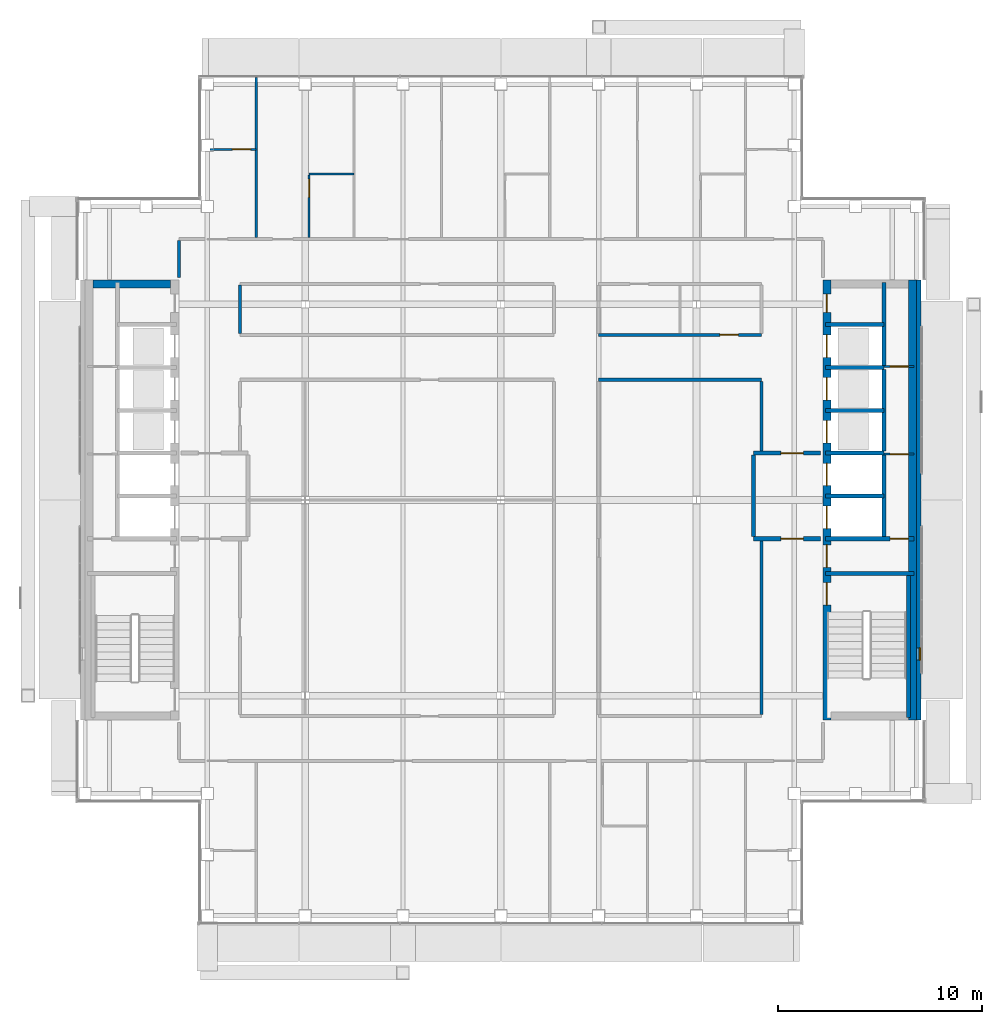
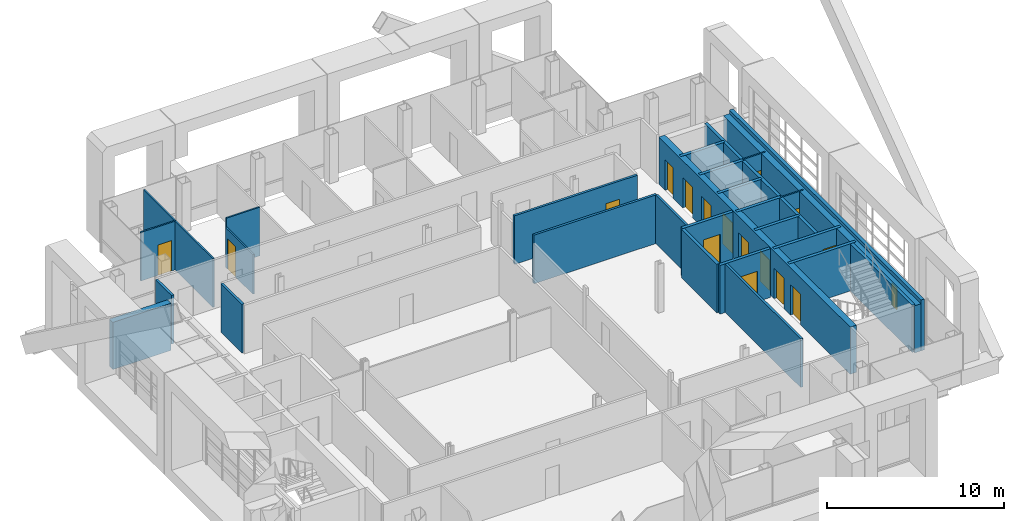
# One storey, part 13 of 23: 30 walls, 16 doors, 1 window, 17 openings.
"""IFC4 building model written with IfcOpenShell, lengths in metres."""

from ifc_helpers import new_model, si_unit, direction, frame, frame_2d, origin, place, context, subcontext, project, spatial, rectangle, extrude, material, layer, layer_set, type_object, element, fill, save


model = new_model("IFC4")

# Units and contexts
model_context = context("Model", 3, precision=1e-05, world=origin(), true_north=direction((0.0, 1.0)))
body_context = subcontext(model_context, "Body", "Model", "MODEL_VIEW")
ifc_project = project(units=[si_unit("LENGTHUNIT", "METRE"), si_unit("AREAUNIT", "SQUARE_METRE"), si_unit("VOLUMEUNIT", "CUBIC_METRE"), si_unit("PLANEANGLEUNIT", "RADIAN"), si_unit("MASSUNIT", "GRAM", prefix="KILO")], contexts=[model_context])

# Site, building, storey
site_placement = place(None, origin())
site = spatial("IfcSite", under=ifc_project, at=site_placement, CompositionType="ELEMENT")
building_placement = place(site_placement, origin())
building = spatial("IfcBuilding", under=site, at=building_placement, Name="Cobrizo Arcos Hotel Tower", CompositionType="ELEMENT")
storey_placement = place(building_placement, frame((0.0, 0.0, 255.0)))
storey = spatial("IfcBuildingStorey", under=building, at=storey_placement, Name="L67", CompositionType="ELEMENT", Elevation=255.0)

# Wall
ifc_material_1 = material(Name="Gypsum board partition")
ifc_layer_1 = layer(ifc_material_1, 0.14990234375)
ifc_layer_set_1 = layer_set([ifc_layer_1], Name="Corridor wall EI 60 150")
wall_type_1 = type_object("IfcWallType", Name="Corridor wall EI 60 150", PredefinedType="PARTITIONING", material=ifc_layer_set_1)
wall_1_placement = place(storey_placement, frame((4.800048828125, 5.89990234375, 0.0), z_axis=(0.0, 0.0, 1.0), x_axis=(1.0, 0.0, 0.0)))
element("IfcWall", 1, at=wall_1_placement, inside=storey, type_object=wall_type_1, Name="Partition 029", PredefinedType="PARTITIONING", context=body_context, shape_type="SweptSolid", body=[
    extrude(rectangle(XDim=8.0, YDim=0.14990234375, at=frame_2d((4.0, 0.0))), origin(), (0.0, 0.0, 1.0), 3.35009765625),
])

# Wall, opening, door
wall_2_placement = place(storey_placement, frame((4.800048828125, 8.10009765625, 0.0), z_axis=(0.0, 0.0, 1.0), x_axis=(1.0, 0.0, 0.0)))
wall_2 = element("IfcWall", 2, at=wall_2_placement, inside=storey, type_object=wall_type_1, Name="Partition 035", PredefinedType="PARTITIONING", context=body_context, shape_type="SweptSolid", body=[
    extrude(rectangle(XDim=8.0, YDim=0.14990234375, at=frame_2d((4.0, 0.0))), origin(), (0.0, 0.0, 1.0), 3.35009765625),
])
opening_1_placement = place(wall_2_placement, frame((5.949951171875, 0.0, 0.0)))
opening_1 = element("IfcOpeningElement", 3, at=opening_1_placement, cuts=wall_2, Name="Opening ED-11", PredefinedType="OPENING", context=body_context, shape_type="SweptSolid", body=[
    extrude(rectangle(XDim=0.89990234375, YDim=2.10009765625, at=frame_2d((0.449951171875, 1.050048828125))), frame((0.0, 0.0869140625, 0.0), z_axis=(0.0, -1.0, 0.0), x_axis=(1.0, 0.0, 0.0)), (0.0, 0.0, 1.0), 0.173828125),
])
ifc_material_2 = material(Name="Timber door leaf", Category="wood")
door_type_1 = type_object("IfcDoorType", Name="En-suite door 900x2100", OperationType="SINGLE_SWING_LEFT", PredefinedType="DOOR", material=ifc_material_2)
door_1_placement = place(opening_1_placement, origin())
door_1 = element("IfcDoor", 4, at=door_1_placement, inside=storey, type_object=door_type_1, Name="Door ED-11", OperationType="SINGLE_SWING_RIGHT", OverallHeight=2.10009765625, OverallWidth=0.89990234375, PredefinedType="DOOR", context=body_context, shape_type="SweptSolid", body=[
    extrude(rectangle(XDim=0.89990234375, YDim=2.10009765625, at=frame_2d((0.449951171875, 1.050048828125))), frame((0.0, 0.02490234375, 0.0), z_axis=(0.0, -1.0, 0.0), x_axis=(1.0, 0.0, 0.0)), (0.0, 0.0, 1.0), 0.050048828125),
])
fill(opening_1, door_1)

# Walls
wall_3_placement = place(storey_placement, frame((-15.800048828125, 10.919921875, 0.0), z_axis=(0.0, 0.0, 1.0), x_axis=(0.0, 1.0, 0.0)))
element("IfcWall", 5, at=wall_3_placement, inside=storey, type_object=wall_type_1, Name="Partition 051", PredefinedType="PARTITIONING", context=body_context, shape_type="SweptSolid", body=[
    extrude(rectangle(XDim=1.80517578125, YDim=0.14990234375, at=frame_2d((0.902587890625, 0.0))), origin(), (0.0, 0.0, 1.0), 3.35009765625),
])
wall_4_placement = place(storey_placement, frame((-12.800048828125, 8.175048828125, 0.0), z_axis=(0.0, 0.0, 1.0), x_axis=(0.0, 1.0, 0.0)))
element("IfcWall", 6, at=wall_4_placement, inside=storey, type_object=wall_type_1, Name="Partition 054", PredefinedType="PARTITIONING", context=body_context, shape_type="SweptSolid", body=[
    extrude(rectangle(XDim=2.375, YDim=0.14990234375, at=frame_2d((1.1875, 0.0))), origin(), (0.0, 0.0, 1.0), 3.35009765625),
])
wall_5_placement = place(storey_placement, frame((12.800048828125, -10.52490234375, 0.0), z_axis=(0.0, 0.0, 1.0), x_axis=(0.0, 1.0, 0.0)))
element("IfcWall", 7, at=wall_5_placement, inside=storey, type_object=wall_type_1, Name="Partition 086", PredefinedType="PARTITIONING", context=body_context, shape_type="SweptSolid", body=[
    extrude(rectangle(XDim=8.52490234375, YDim=0.14990234375, at=frame_2d((4.262451171875, 0.0))), origin(), (0.0, 0.0, 1.0), 3.35009765625),
])
wall_6_placement = place(storey_placement, frame((12.800048828125, 2.39990234375, 0.0), z_axis=(0.0, 0.0, 1.0), x_axis=(0.0, 1.0, 0.0)))
element("IfcWall", 8, at=wall_6_placement, inside=storey, type_object=wall_type_1, Name="Partition 087", PredefinedType="PARTITIONING", context=body_context, shape_type="SweptSolid", body=[
    extrude(rectangle(XDim=3.425048828125, YDim=0.14990234375, at=frame_2d((1.71240234375, 0.0))), origin(), (0.0, 0.0, 1.0), 3.35009765625),
])

# Wall, opening, window
ifc_material_3 = material(Name="Aluminium composite panel pale metal", Category="aluminium")
ifc_layer_2 = layer(ifc_material_3, 0.22509765625)
ifc_layer_set_2 = layer_set([ifc_layer_2], Name="EW-1 insulated panel wall 225")
wall_type_2 = type_object("IfcWallType", Name="EW-1 insulated panel wall 225", PredefinedType="SOLIDWALL", material=ifc_layer_set_2)
wall_7_placement = place(storey_placement, frame((20.512451171875, -10.800048828125, 0.0), z_axis=(0.0, 0.0, 1.0), x_axis=(0.0, 1.0, 0.0)))
wall_7 = element("IfcWall", 9, at=wall_7_placement, inside=storey, type_object=wall_type_2, Name="Core face wall L67 E", PredefinedType="SOLIDWALL", context=body_context, shape_type="SweptSolid", body=[
    extrude(rectangle(XDim=21.60009765625, YDim=0.22509765625, at=frame_2d((10.800048828125, 0.0))), origin(), (0.0, 0.0, 1.0), 3.5),
])
opening_2_placement = place(wall_7_placement, frame((2.949951171875, 0.0, 1.0)))
opening_2 = element("IfcOpeningElement", 10, at=opening_2_placement, cuts=wall_7, Name="Opening W-153", PredefinedType="OPENING", context=body_context, shape_type="SweptSolid", body=[
    extrude(rectangle(XDim=0.60009765625, YDim=1.5, at=frame_2d((0.300048828125, 0.75))), frame((0.0, 0.12451171875, 0.0), z_axis=(0.0, -1.0, 0.0), x_axis=(1.0, 0.0, 0.0)), (0.0, 0.0, 1.0), 0.2490234375),
])
ifc_material_4 = material(Name="Aluminium 6063-T6 and clear laminated glass", Category="aluminium")
window_type = type_object("IfcWindowType", Name="W-C1 core stair slot window 600x1500", PartitioningType="SINGLE_PANEL", PredefinedType="WINDOW", material=ifc_material_4)
window_placement = place(opening_2_placement, origin())
window = element("IfcWindow", 11, at=window_placement, inside=storey, type_object=window_type, Name="Core face wall L67 E window W-153", OverallHeight=1.5, OverallWidth=0.60009765625, PartitioningType="SINGLE_PANEL", PredefinedType="WINDOW", context=body_context, shape_type="SweptSolid", body=[
    extrude(rectangle(XDim=0.60009765625, YDim=1.5, at=frame_2d((0.300048828125, 0.75))), frame((0.0, -0.0224609375, 0.0), z_axis=(0.0, -1.0, 0.0), x_axis=(1.0, 0.0, 0.0)), (0.0, 0.0, 1.0), 0.06005859375),
])
fill(opening_2, window)

# Wall, opening, door
ifc_layer_3 = layer(ifc_material_1, 0.10009765625)
ifc_layer_set_3 = layer_set([ifc_layer_3], Name="Partition EI 30 100")
wall_type_3 = type_object("IfcWallType", Name="Partition EI 30 100", PredefinedType="PARTITIONING", material=ifc_layer_set_3)
wall_8_placement = place(storey_placement, frame((18.800048828125, 2.25, 0.0), z_axis=(0.0, 0.0, 1.0), x_axis=(1.0, 0.0, 0.0)))
wall_8 = element("IfcWall", 12, at=wall_8_placement, inside=storey, type_object=wall_type_3, Name="Partition 021", PredefinedType="PARTITIONING", context=body_context, shape_type="SweptSolid", body=[
    extrude(rectangle(XDim=1.47998046875, YDim=0.10009765625, at=frame_2d((0.739990234375, 0.0))), origin(), (0.0, 0.0, 1.0), 3.25),
])
opening_3_placement = place(wall_8_placement, frame((0.300048828125, 0.0, 0.0)))
opening_3 = element("IfcOpeningElement", 13, at=opening_3_placement, cuts=wall_8, Name="Opening RD-06", PredefinedType="OPENING", context=body_context, shape_type="SweptSolid", body=[
    extrude(rectangle(XDim=0.89990234375, YDim=2.10009765625, at=frame_2d((0.449951171875, 1.050048828125))), frame((0.0, 0.06201171875, 0.0), z_axis=(0.0, -1.0, 0.0), x_axis=(1.0, 0.0, 0.0)), (0.0, 0.0, 1.0), 0.1240234375),
])
door_type_2 = type_object("IfcDoorType", Name="Room door FD30 900x2100", OperationType="SINGLE_SWING_LEFT", PredefinedType="DOOR", material=ifc_material_2)
door_2_placement = place(opening_3_placement, origin())
door_2 = element("IfcDoor", 14, at=door_2_placement, inside=storey, type_object=door_type_2, Name="Door RD-06", OperationType="SINGLE_SWING_LEFT", OverallHeight=2.10009765625, OverallWidth=0.89990234375, PredefinedType="DOOR", context=body_context, shape_type="SweptSolid", body=[
    extrude(rectangle(XDim=0.89990234375, YDim=2.10009765625, at=frame_2d((0.449951171875, 1.050048828125))), frame((0.0, 0.02490234375, 0.0), z_axis=(0.0, -1.0, 0.0), x_axis=(1.0, 0.0, 0.0)), (0.0, 0.0, 1.0), 0.050048828125),
])
fill(opening_3, door_2)

wall_9_placement = place(storey_placement, frame((18.800048828125, 6.550048828125, 0.0), z_axis=(0.0, 0.0, 1.0), x_axis=(1.0, 0.0, 0.0)))
wall_9 = element("IfcWall", 15, at=wall_9_placement, inside=storey, type_object=wall_type_3, Name="Partition 033", PredefinedType="PARTITIONING", context=body_context, shape_type="SweptSolid", body=[
    extrude(rectangle(XDim=1.47998046875, YDim=0.10009765625, at=frame_2d((0.739990234375, 0.0))), origin(), (0.0, 0.0, 1.0), 3.25),
])
opening_4_placement = place(wall_9_placement, frame((0.300048828125, 0.0, 0.0)))
opening_4 = element("IfcOpeningElement", 16, at=opening_4_placement, cuts=wall_9, Name="Opening RD-07", PredefinedType="OPENING", context=body_context, shape_type="SweptSolid", body=[
    extrude(rectangle(XDim=0.89990234375, YDim=2.10009765625, at=frame_2d((0.449951171875, 1.050048828125))), frame((0.0, 0.06201171875, 0.0), z_axis=(0.0, -1.0, 0.0), x_axis=(1.0, 0.0, 0.0)), (0.0, 0.0, 1.0), 0.1240234375),
])
door_3_placement = place(opening_4_placement, origin())
door_3 = element("IfcDoor", 17, at=door_3_placement, inside=storey, type_object=door_type_2, Name="Door RD-07", OperationType="SINGLE_SWING_LEFT", OverallHeight=2.10009765625, OverallWidth=0.89990234375, PredefinedType="DOOR", context=body_context, shape_type="SweptSolid", body=[
    extrude(rectangle(XDim=0.89990234375, YDim=2.10009765625, at=frame_2d((0.449951171875, 1.050048828125))), frame((0.0, 0.02490234375, 0.0), z_axis=(0.0, -1.0, 0.0), x_axis=(1.0, 0.0, 0.0)), (0.0, 0.0, 1.0), 0.050048828125),
])
fill(opening_4, door_3)

# Wall
wall_10_placement = place(storey_placement, frame((-9.39990234375, 16.0, 0.0), z_axis=(0.0, 0.0, 1.0), x_axis=(1.0, 0.0, 0.0)))
element("IfcWall", 18, at=wall_10_placement, inside=storey, type_object=wall_type_3, Name="Partition 041", PredefinedType="PARTITIONING", context=body_context, shape_type="SweptSolid", body=[
    extrude(rectangle(XDim=2.199951171875, YDim=0.10009765625, at=frame_2d((1.10009765625, 0.0))), origin(), (0.0, 0.0, 1.0), 3.35009765625),
])

# Wall, opening, door
wall_11_placement = place(storey_placement, frame((-14.280029296875, 17.199951171875, 0.0), z_axis=(0.0, 0.0, 1.0), x_axis=(1.0, 0.0, 0.0)))
wall_11 = element("IfcWall", 19, at=wall_11_placement, inside=storey, type_object=wall_type_3, Name="Partition 044", PredefinedType="PARTITIONING", context=body_context, shape_type="SweptSolid", body=[
    extrude(rectangle(XDim=2.280029296875, YDim=0.10009765625, at=frame_2d((1.14013671875, 0.0))), origin(), (0.0, 0.0, 1.0), 3.35009765625),
])
opening_5_placement = place(wall_11_placement, frame((1.110107421875, 0.0, 0.0)))
opening_5 = element("IfcOpeningElement", 20, at=opening_5_placement, cuts=wall_11, Name="Opening ED-07", PredefinedType="OPENING", context=body_context, shape_type="SweptSolid", body=[
    extrude(rectangle(XDim=0.89990234375, YDim=2.10009765625, at=frame_2d((0.449951171875, 1.050048828125))), frame((0.0, 0.06201171875, 0.0), z_axis=(0.0, -1.0, 0.0), x_axis=(1.0, 0.0, 0.0)), (0.0, 0.0, 1.0), 0.1240234375),
])
door_4_placement = place(opening_5_placement, origin())
door_4 = element("IfcDoor", 21, at=door_4_placement, inside=storey, type_object=door_type_1, Name="Door ED-07", OperationType="SINGLE_SWING_LEFT", OverallHeight=2.10009765625, OverallWidth=0.89990234375, PredefinedType="DOOR", context=body_context, shape_type="SweptSolid", body=[
    extrude(rectangle(XDim=0.89990234375, YDim=2.10009765625, at=frame_2d((0.449951171875, 1.050048828125))), frame((0.0, 0.02490234375, 0.0), z_axis=(0.0, -1.0, 0.0), x_axis=(1.0, 0.0, 0.0)), (0.0, 0.0, 1.0), 0.050048828125),
])
fill(opening_5, door_4)

# Wall
wall_12_placement = place(storey_placement, frame((-12.0, 12.875, 0.0), z_axis=(0.0, 0.0, 1.0), x_axis=(0.0, 1.0, 0.0)))
element("IfcWall", 22, at=wall_12_placement, inside=storey, type_object=wall_type_3, Name="Partition 057", PredefinedType="PARTITIONING", context=body_context, shape_type="SweptSolid", body=[
    extrude(rectangle(XDim=7.85498046875, YDim=0.10009765625, at=frame_2d((3.927490234375, 0.0))), origin(), (0.0, 0.0, 1.0), 3.35009765625),
])

# Wall, opening, door
wall_13_placement = place(storey_placement, frame((-9.39990234375, 12.875, 0.0), z_axis=(0.0, 0.0, 1.0), x_axis=(0.0, 1.0, 0.0)))
wall_13 = element("IfcWall", 23, at=wall_13_placement, inside=storey, type_object=wall_type_3, Name="Partition 062", PredefinedType="PARTITIONING", context=body_context, shape_type="SweptSolid", body=[
    extrude(rectangle(XDim=3.074951171875, YDim=0.10009765625, at=frame_2d((1.53759765625, 0.0))), origin(), (0.0, 0.0, 1.0), 2.72802734375),
])
opening_6_placement = place(wall_13_placement, frame((1.970947265625, 0.0, 0.0)))
opening_6 = element("IfcOpeningElement", 24, at=opening_6_placement, cuts=wall_13, Name="Opening ED-02", PredefinedType="OPENING", context=body_context, shape_type="SweptSolid", body=[
    extrude(rectangle(XDim=0.89990234375, YDim=2.10009765625, at=frame_2d((0.449951171875, 1.050048828125))), frame((0.0, 0.06201171875, 0.0), z_axis=(0.0, -1.0, 0.0), x_axis=(1.0, 0.0, 0.0)), (0.0, 0.0, 1.0), 0.1240234375),
])
door_5_placement = place(opening_6_placement, origin())
door_5 = element("IfcDoor", 25, at=door_5_placement, inside=storey, type_object=door_type_1, Name="Door ED-02", OperationType="SINGLE_SWING_RIGHT", OverallHeight=2.10009765625, OverallWidth=0.89990234375, PredefinedType="DOOR", context=body_context, shape_type="SweptSolid", body=[
    extrude(rectangle(XDim=0.89990234375, YDim=2.10009765625, at=frame_2d((0.449951171875, 1.050048828125))), frame((0.0, 0.02490234375, 0.0), z_axis=(0.0, -1.0, 0.0), x_axis=(1.0, 0.0, 0.0)), (0.0, 0.0, 1.0), 0.050048828125),
])
fill(opening_6, door_5)

# Wall, openings, doors
ifc_material_5 = material(Name="Concrete f'c 40 MPa", Category="concrete")
ifc_layer_4 = layer(ifc_material_5, 0.39990234375)
ifc_layer_set_4 = layer_set([ifc_layer_4], Name="RC core wall 400 f'c 40")
wall_type_4 = type_object("IfcWallType", Name="RC core wall 400 f'c 40", PredefinedType="SHEAR", material=ifc_layer_set_4)
wall_14_placement = place(storey_placement, frame((16.0, -10.800048828125, 0.0), z_axis=(0.0, 0.0, 1.0), x_axis=(0.0, 1.0, 0.0)))
wall_14 = element("IfcWall", 26, at=wall_14_placement, inside=storey, type_object=wall_type_4, Name="Core wall CW4, east core, inner face, L67", PredefinedType="SHEAR", context=body_context, shape_type="SweptSolid", body=[
    extrude(rectangle(XDim=21.60009765625, YDim=0.39990234375, at=frame_2d((10.800048828125, 0.0))), origin(), (0.0, 0.0, 1.0), 3.25),
])
opening_7_placement = place(wall_14_placement, frame((9.39990234375, 0.0, 0.0)))
opening_7 = element("IfcOpeningElement", 27, at=opening_7_placement, cuts=wall_14, Name="Opening LD-06", PredefinedType="OPENING", context=body_context, shape_type="SweptSolid", body=[
    extrude(rectangle(XDim=1.10009765625, YDim=2.10009765625, at=frame_2d((0.550048828125, 1.050048828125))), frame((0.0, 0.2119140625, 0.0), z_axis=(0.0, -1.0, 0.0), x_axis=(1.0, 0.0, 0.0)), (0.0, 0.0, 1.0), 0.423828125),
])
opening_8_placement = place(wall_14_placement, frame((11.5, 0.0, 0.0)))
opening_8 = element("IfcOpeningElement", 28, at=opening_8_placement, cuts=wall_14, Name="Opening LD-07", PredefinedType="OPENING", context=body_context, shape_type="SweptSolid", body=[
    extrude(rectangle(XDim=1.10009765625, YDim=2.10009765625, at=frame_2d((0.550048828125, 1.050048828125))), frame((0.0, 0.2119140625, 0.0), z_axis=(0.0, -1.0, 0.0), x_axis=(1.0, 0.0, 0.0)), (0.0, 0.0, 1.0), 0.423828125),
])
opening_9_placement = place(wall_14_placement, frame((13.60009765625, 0.0, 0.0)))
opening_9 = element("IfcOpeningElement", 29, at=opening_9_placement, cuts=wall_14, Name="Opening LD-08", PredefinedType="OPENING", context=body_context, shape_type="SweptSolid", body=[
    extrude(rectangle(XDim=1.10009765625, YDim=2.10009765625, at=frame_2d((0.550048828125, 1.050048828125))), frame((0.0, 0.2119140625, 0.0), z_axis=(0.0, -1.0, 0.0), x_axis=(1.0, 0.0, 0.0)), (0.0, 0.0, 1.0), 0.423828125),
])
opening_10_placement = place(wall_14_placement, frame((15.699951171875, 0.0, 0.0)))
opening_10 = element("IfcOpeningElement", 30, at=opening_10_placement, cuts=wall_14, Name="Opening LD-09", PredefinedType="OPENING", context=body_context, shape_type="SweptSolid", body=[
    extrude(rectangle(XDim=1.10009765625, YDim=2.10009765625, at=frame_2d((0.550048828125, 1.050048828125))), frame((0.0, 0.2119140625, 0.0), z_axis=(0.0, -1.0, 0.0), x_axis=(1.0, 0.0, 0.0)), (0.0, 0.0, 1.0), 0.423828125),
])
opening_11_placement = place(wall_14_placement, frame((17.800048828125, 0.0, 0.0)))
opening_11 = element("IfcOpeningElement", 31, at=opening_11_placement, cuts=wall_14, Name="Opening LD-10", PredefinedType="OPENING", context=body_context, shape_type="SweptSolid", body=[
    extrude(rectangle(XDim=1.10009765625, YDim=2.10009765625, at=frame_2d((0.550048828125, 1.050048828125))), frame((0.0, 0.2119140625, 0.0), z_axis=(0.0, -1.0, 0.0), x_axis=(1.0, 0.0, 0.0)), (0.0, 0.0, 1.0), 0.423828125),
])
opening_12_placement = place(wall_14_placement, frame((5.64208984375, 0.0, 0.0)))
opening_12 = element("IfcOpeningElement", 32, at=opening_12_placement, cuts=wall_14, Name="Opening SD-02", PredefinedType="OPENING", context=body_context, shape_type="SweptSolid", body=[
    extrude(rectangle(XDim=1.10009765625, YDim=2.10009765625, at=frame_2d((0.550048828125, 1.050048828125))), frame((0.0, 0.2119140625, 0.0), z_axis=(0.0, -1.0, 0.0), x_axis=(1.0, 0.0, 0.0)), (0.0, 0.0, 1.0), 0.423828125),
])
opening_13_placement = place(wall_14_placement, frame((7.5, 0.0, 0.0)))
opening_13 = element("IfcOpeningElement", 33, at=opening_13_placement, cuts=wall_14, Name="Opening FD-04", PredefinedType="OPENING", context=body_context, shape_type="SweptSolid", body=[
    extrude(rectangle(XDim=1.10009765625, YDim=2.10009765625, at=frame_2d((0.550048828125, 1.050048828125))), frame((0.0, 0.2119140625, 0.0), z_axis=(0.0, -1.0, 0.0), x_axis=(1.0, 0.0, 0.0)), (0.0, 0.0, 1.0), 0.423828125),
])
opening_14_placement = place(wall_14_placement, frame((20.0, 0.0, 0.0)))
opening_14 = element("IfcOpeningElement", 34, at=opening_14_placement, cuts=wall_14, Name="Opening RD-04", PredefinedType="OPENING", context=body_context, shape_type="SweptSolid", body=[
    extrude(rectangle(XDim=0.89990234375, YDim=2.10009765625, at=frame_2d((0.449951171875, 1.050048828125))), frame((0.0, 0.2119140625, 0.0), z_axis=(0.0, -1.0, 0.0), x_axis=(1.0, 0.0, 0.0)), (0.0, 0.0, 1.0), 0.423828125),
])
ifc_material_6 = material(Name="Steel door leaf", Category="steel")
door_type_3 = type_object("IfcDoorType", Name="Fire door FD60 1100x2100", OperationType="SINGLE_SWING_LEFT", PredefinedType="DOOR", material=ifc_material_6)
door_6_placement = place(opening_13_placement, origin())
door_6 = element("IfcDoor", 35, at=door_6_placement, inside=storey, type_object=door_type_3, Name="Door FD-04", OperationType="SINGLE_SWING_RIGHT", OverallHeight=2.10009765625, OverallWidth=1.10009765625, PredefinedType="DOOR", context=body_context, shape_type="SweptSolid", body=[
    extrude(rectangle(XDim=1.10009765625, YDim=2.10009765625, at=frame_2d((0.550048828125, 1.050048828125))), frame((0.0, 0.02490234375, 0.0), z_axis=(0.0, -1.0, 0.0), x_axis=(1.0, 0.0, 0.0)), (0.0, 0.0, 1.0), 0.050048828125),
])
fill(opening_13, door_6)
door_type_4 = type_object("IfcDoorType", Name="Lift landing door 1100x2100", OperationType="SLIDING_TO_LEFT", PredefinedType="DOOR", material=ifc_material_6)
door_7_placement = place(opening_7_placement, origin())
door_7 = element("IfcDoor", 36, at=door_7_placement, inside=storey, type_object=door_type_4, Name="Lift landing door LD-06", OperationType="SLIDING_TO_LEFT", OverallHeight=2.10009765625, OverallWidth=1.10009765625, PredefinedType="DOOR", context=body_context, shape_type="SweptSolid", body=[
    extrude(rectangle(XDim=1.10009765625, YDim=2.10009765625, at=frame_2d((0.550048828125, 1.050048828125))), frame((0.0, 0.02490234375, 0.0), z_axis=(0.0, -1.0, 0.0), x_axis=(1.0, 0.0, 0.0)), (0.0, 0.0, 1.0), 0.050048828125),
])
fill(opening_7, door_7)
door_8_placement = place(opening_8_placement, origin())
door_8 = element("IfcDoor", 37, at=door_8_placement, inside=storey, type_object=door_type_4, Name="Lift landing door LD-07", OperationType="SLIDING_TO_LEFT", OverallHeight=2.10009765625, OverallWidth=1.10009765625, PredefinedType="DOOR", context=body_context, shape_type="SweptSolid", body=[
    extrude(rectangle(XDim=1.10009765625, YDim=2.10009765625, at=frame_2d((0.550048828125, 1.050048828125))), frame((0.0, 0.02490234375, 0.0), z_axis=(0.0, -1.0, 0.0), x_axis=(1.0, 0.0, 0.0)), (0.0, 0.0, 1.0), 0.050048828125),
])
fill(opening_8, door_8)
door_9_placement = place(opening_9_placement, origin())
door_9 = element("IfcDoor", 38, at=door_9_placement, inside=storey, type_object=door_type_4, Name="Lift landing door LD-08", OperationType="SLIDING_TO_LEFT", OverallHeight=2.10009765625, OverallWidth=1.10009765625, PredefinedType="DOOR", context=body_context, shape_type="SweptSolid", body=[
    extrude(rectangle(XDim=1.10009765625, YDim=2.10009765625, at=frame_2d((0.550048828125, 1.050048828125))), frame((0.0, 0.02490234375, 0.0), z_axis=(0.0, -1.0, 0.0), x_axis=(1.0, 0.0, 0.0)), (0.0, 0.0, 1.0), 0.050048828125),
])
fill(opening_9, door_9)
door_10_placement = place(opening_10_placement, origin())
door_10 = element("IfcDoor", 39, at=door_10_placement, inside=storey, type_object=door_type_4, Name="Lift landing door LD-09", OperationType="SLIDING_TO_LEFT", OverallHeight=2.10009765625, OverallWidth=1.10009765625, PredefinedType="DOOR", context=body_context, shape_type="SweptSolid", body=[
    extrude(rectangle(XDim=1.10009765625, YDim=2.10009765625, at=frame_2d((0.550048828125, 1.050048828125))), frame((0.0, 0.02490234375, 0.0), z_axis=(0.0, -1.0, 0.0), x_axis=(1.0, 0.0, 0.0)), (0.0, 0.0, 1.0), 0.050048828125),
])
fill(opening_10, door_10)
door_11_placement = place(opening_11_placement, origin())
door_11 = element("IfcDoor", 40, at=door_11_placement, inside=storey, type_object=door_type_4, Name="Lift landing door LD-10", OperationType="SLIDING_TO_LEFT", OverallHeight=2.10009765625, OverallWidth=1.10009765625, PredefinedType="DOOR", context=body_context, shape_type="SweptSolid", body=[
    extrude(rectangle(XDim=1.10009765625, YDim=2.10009765625, at=frame_2d((0.550048828125, 1.050048828125))), frame((0.0, 0.02490234375, 0.0), z_axis=(0.0, -1.0, 0.0), x_axis=(1.0, 0.0, 0.0)), (0.0, 0.0, 1.0), 0.050048828125),
])
fill(opening_11, door_11)
door_12_placement = place(opening_14_placement, origin())
door_12 = element("IfcDoor", 41, at=door_12_placement, inside=storey, type_object=door_type_2, Name="Door RD-04", OperationType="SINGLE_SWING_LEFT", OverallHeight=2.10009765625, OverallWidth=0.89990234375, PredefinedType="DOOR", context=body_context, shape_type="SweptSolid", body=[
    extrude(rectangle(XDim=0.89990234375, YDim=2.10009765625, at=frame_2d((0.449951171875, 1.050048828125))), frame((0.0, 0.02490234375, 0.0), z_axis=(0.0, -1.0, 0.0), x_axis=(1.0, 0.0, 0.0)), (0.0, 0.0, 1.0), 0.050048828125),
])
fill(opening_14, door_12)
door_type_5 = type_object("IfcDoorType", Name="Stair door FD60S 1100x2100", OperationType="SINGLE_SWING_LEFT", PredefinedType="DOOR", material=ifc_material_6)
door_13_placement = place(opening_12_placement, origin())
door_13 = element("IfcDoor", 42, at=door_13_placement, inside=storey, type_object=door_type_5, Name="Door SD-02", OperationType="SINGLE_SWING_RIGHT", OverallHeight=2.10009765625, OverallWidth=1.10009765625, PredefinedType="DOOR", context=body_context, shape_type="SweptSolid", body=[
    extrude(rectangle(XDim=1.10009765625, YDim=2.10009765625, at=frame_2d((0.550048828125, 1.050048828125))), frame((0.0, 0.02490234375, 0.0), z_axis=(0.0, -1.0, 0.0), x_axis=(1.0, 0.0, 0.0)), (0.0, 0.0, 1.0), 0.050048828125),
])
fill(opening_12, door_13)

# Walls
wall_15_placement = place(storey_placement, frame((20.199951171875, -10.800048828125, 0.0), z_axis=(0.0, 0.0, 1.0), x_axis=(0.0, 1.0, 0.0)))
element("IfcWall", 43, at=wall_15_placement, inside=storey, type_object=wall_type_4, Name="Core wall CW4, east core, outer face, L67", PredefinedType="SHEAR", context=body_context, shape_type="SweptSolid", body=[
    extrude(rectangle(XDim=21.60009765625, YDim=0.39990234375, at=frame_2d((10.800048828125, 0.0))), origin(), (0.0, 0.0, 1.0), 3.25),
])
wall_16_placement = place(storey_placement, frame((-20.0, 10.60009765625, 0.0), z_axis=(0.0, 0.0, 1.0), x_axis=(1.0, 0.0, 0.0)))
element("IfcWall", 44, at=wall_16_placement, inside=storey, type_object=wall_type_4, Name="Core wall CW4, west core, north end, L67", PredefinedType="SHEAR", context=body_context, shape_type="SweptSolid", body=[
    extrude(rectangle(XDim=3.800048828125, YDim=0.39990234375, at=frame_2d((1.89990234375, 0.0))), origin(), (0.0, 0.0, 1.0), 3.25),
])

# Wall, opening, door
ifc_layer_5 = layer(ifc_material_1, 0.199951171875)
ifc_layer_set_5 = layer_set([ifc_layer_5], Name="Shaft wall EI 120 200")
wall_type_5 = type_object("IfcWallType", Name="Shaft wall EI 120 200", PredefinedType="PARTITIONING", material=ifc_layer_set_5)
wall_17_placement = place(storey_placement, frame((12.39990234375, -1.89990234375, 0.0), z_axis=(0.0, 0.0, 1.0), x_axis=(1.0, 0.0, 0.0)))
wall_17 = element("IfcWall", 45, at=wall_17_placement, inside=storey, type_object=wall_type_5, Name="Partition 011", PredefinedType="PARTITIONING", context=body_context, shape_type="SweptSolid", body=[
    extrude(rectangle(XDim=3.280029296875, YDim=0.199951171875, at=frame_2d((1.64013671875, 0.0))), origin(), (0.0, 0.0, 1.0), 3.35009765625),
])
opening_15_placement = place(wall_17_placement, frame((1.340087890625, 0.0, 0.0)))
opening_15 = element("IfcOpeningElement", 46, at=opening_15_placement, cuts=wall_17, Name="Opening FD-06", PredefinedType="OPENING", context=body_context, shape_type="SweptSolid", body=[
    extrude(rectangle(XDim=1.10009765625, YDim=2.10009765625, at=frame_2d((0.550048828125, 1.050048828125))), frame((0.0, 0.112060546875, 0.0), z_axis=(0.0, -1.0, 0.0), x_axis=(1.0, 0.0, 0.0)), (0.0, 0.0, 1.0), 0.223876953125),
])
door_14_placement = place(opening_15_placement, origin())
door_14 = element("IfcDoor", 47, at=door_14_placement, inside=storey, type_object=door_type_3, Name="Door FD-06", OperationType="SINGLE_SWING_LEFT", OverallHeight=2.10009765625, OverallWidth=1.10009765625, PredefinedType="DOOR", context=body_context, shape_type="SweptSolid", body=[
    extrude(rectangle(XDim=1.10009765625, YDim=2.10009765625, at=frame_2d((0.550048828125, 1.050048828125))), frame((0.0, 0.02490234375, 0.0), z_axis=(0.0, -1.0, 0.0), x_axis=(1.0, 0.0, 0.0)), (0.0, 0.0, 1.0), 0.050048828125),
])
fill(opening_15, door_14)

wall_18_placement = place(storey_placement, frame((15.919921875, -1.89990234375, 0.0), z_axis=(0.0, 0.0, 1.0), x_axis=(1.0, 0.0, 0.0)))
wall_18 = element("IfcWall", 48, at=wall_18_placement, inside=storey, type_object=wall_type_5, Name="Partition 012", PredefinedType="PARTITIONING", context=body_context, shape_type="SweptSolid", body=[
    extrude(rectangle(XDim=4.360107421875, YDim=0.199951171875, at=frame_2d((2.18017578125, 0.0))), origin(), (0.0, 0.0, 1.0), 3.25),
])
opening_16_placement = place(wall_18_placement, frame((3.179931640625, 0.0, 0.0)))
opening_16 = element("IfcOpeningElement", 49, at=opening_16_placement, cuts=wall_18, Name="Opening RD-05", PredefinedType="OPENING", context=body_context, shape_type="SweptSolid", body=[
    extrude(rectangle(XDim=0.89990234375, YDim=2.10009765625, at=frame_2d((0.449951171875, 1.050048828125))), frame((0.0, 0.112060546875, 0.0), z_axis=(0.0, -1.0, 0.0), x_axis=(1.0, 0.0, 0.0)), (0.0, 0.0, 1.0), 0.223876953125),
])
door_15_placement = place(opening_16_placement, origin())
door_15 = element("IfcDoor", 50, at=door_15_placement, inside=storey, type_object=door_type_2, Name="Door RD-05", OperationType="SINGLE_SWING_LEFT", OverallHeight=2.10009765625, OverallWidth=0.89990234375, PredefinedType="DOOR", context=body_context, shape_type="SweptSolid", body=[
    extrude(rectangle(XDim=0.89990234375, YDim=2.10009765625, at=frame_2d((0.449951171875, 1.050048828125))), frame((0.0, 0.02490234375, 0.0), z_axis=(0.0, -1.0, 0.0), x_axis=(1.0, 0.0, 0.0)), (0.0, 0.0, 1.0), 0.050048828125),
])
fill(opening_16, door_15)

# Wall
wall_19_placement = place(storey_placement, frame((15.919921875, 0.199951171875, 0.0), z_axis=(0.0, 0.0, 1.0), x_axis=(1.0, 0.0, 0.0)))
element("IfcWall", 51, at=wall_19_placement, inside=storey, type_object=wall_type_5, Name="Partition 019", PredefinedType="PARTITIONING", context=body_context, shape_type="SweptSolid", body=[
    extrude(rectangle(XDim=2.880126953125, YDim=0.199951171875, at=frame_2d((1.43994140625, 0.0))), origin(), (0.0, 0.0, 1.0), 3.25),
])

# Wall, opening, door
wall_20_placement = place(storey_placement, frame((12.39990234375, 2.300048828125, 0.0), z_axis=(0.0, 0.0, 1.0), x_axis=(1.0, 0.0, 0.0)))
wall_20 = element("IfcWall", 52, at=wall_20_placement, inside=storey, type_object=wall_type_5, Name="Partition 024", PredefinedType="PARTITIONING", context=body_context, shape_type="SweptSolid", body=[
    extrude(rectangle(XDim=3.280029296875, YDim=0.199951171875, at=frame_2d((1.64013671875, 0.0))), origin(), (0.0, 0.0, 1.0), 3.35009765625),
])
opening_17_placement = place(wall_20_placement, frame((1.340087890625, 0.0, 0.0)))
opening_17 = element("IfcOpeningElement", 53, at=opening_17_placement, cuts=wall_20, Name="Opening FD-05", PredefinedType="OPENING", context=body_context, shape_type="SweptSolid", body=[
    extrude(rectangle(XDim=1.10009765625, YDim=2.10009765625, at=frame_2d((0.550048828125, 1.050048828125))), frame((0.0, 0.112060546875, 0.0), z_axis=(0.0, -1.0, 0.0), x_axis=(1.0, 0.0, 0.0)), (0.0, 0.0, 1.0), 0.223876953125),
])
door_16_placement = place(opening_17_placement, origin())
door_16 = element("IfcDoor", 54, at=door_16_placement, inside=storey, type_object=door_type_3, Name="Door FD-05", OperationType="SINGLE_SWING_RIGHT", OverallHeight=2.10009765625, OverallWidth=1.10009765625, PredefinedType="DOOR", context=body_context, shape_type="SweptSolid", body=[
    extrude(rectangle(XDim=1.10009765625, YDim=2.10009765625, at=frame_2d((0.550048828125, 1.050048828125))), frame((0.0, 0.02490234375, 0.0), z_axis=(0.0, -1.0, 0.0), x_axis=(1.0, 0.0, 0.0)), (0.0, 0.0, 1.0), 0.050048828125),
])
fill(opening_17, door_16)

# Walls
for number, where, z_axis, x_axis, name in (
    (55, (15.919921875, 2.300048828125, 0.0), (0.0, 0.0, 1.0), (1.0, 0.0, 0.0), "Partition 025"),
    (56, (15.919921875, 4.39990234375, 0.0), (0.0, 0.0, 1.0), (1.0, 0.0, 0.0), "Partition 027"),
    (57, (15.919921875, 6.5, 0.0), (0.0, 0.0, 1.0), (1.0, 0.0, 0.0), "Partition 031"),
    (58, (15.919921875, 8.60009765625, 0.0), (0.0, 0.0, 1.0), (1.0, 0.0, 0.0), "Partition 037"),
):
    element("IfcWall", number, at=place(storey_placement, frame(where, z_axis=z_axis, x_axis=x_axis)), inside=storey, type_object=wall_type_5, Name=name, PredefinedType="PARTITIONING", context=body_context, shape_type="SweptSolid", body=[
        extrude(rectangle(XDim=2.880126953125, YDim=0.199951171875, at=frame_2d((1.43994140625, 0.0))), origin(), (0.0, 0.0, 1.0), 3.25),
    ])
wall_21_placement = place(storey_placement, frame((12.39990234375, -1.800048828125, 0.0), z_axis=(0.0, 0.0, 1.0), x_axis=(0.0, 1.0, 0.0)))
element("IfcWall", 59, at=wall_21_placement, inside=storey, type_object=wall_type_5, Name="Partition 085", PredefinedType="PARTITIONING", context=body_context, shape_type="SweptSolid", body=[
    extrude(rectangle(XDim=4.0, YDim=0.199951171875, at=frame_2d((2.0, 0.0))), origin(), (0.0, 0.0, 1.0), 3.35009765625),
])
for number, where, z_axis, x_axis, name in (
    (60, (18.800048828125, -1.800048828125, 0.0), (0.0, 0.0, 1.0), (0.0, 1.0, 0.0), "Partition 091"),
    (61, (18.800048828125, 2.39990234375, 0.0), (0.0, 0.0, 1.0), (0.0, 1.0, 0.0), "Partition 092"),
):
    element("IfcWall", number, at=place(storey_placement, frame(where, z_axis=z_axis, x_axis=x_axis)), inside=storey, type_object=wall_type_5, Name=name, PredefinedType="PARTITIONING", context=body_context, shape_type="SweptSolid", body=[
        extrude(rectangle(XDim=4.0, YDim=0.199951171875, at=frame_2d((2.0, 0.0))), origin(), (0.0, 0.0, 1.0), 3.25),
    ])
wall_22_placement = place(storey_placement, frame((18.800048828125, 6.60009765625, 0.0), z_axis=(0.0, 0.0, 1.0), x_axis=(0.0, 1.0, 0.0)))
element("IfcWall", 62, at=wall_22_placement, inside=storey, type_object=wall_type_5, Name="Partition 093", PredefinedType="PARTITIONING", context=body_context, shape_type="SweptSolid", body=[
    extrude(rectangle(XDim=4.079833984375, YDim=0.199951171875, at=frame_2d((2.0400390625, 0.0))), origin(), (0.0, 0.0, 1.0), 3.25),
])
ifc_layer_6 = layer(ifc_material_5, 0.199951171875)
ifc_layer_set_6 = layer_set([ifc_layer_6], Name="Stair shaft wall 200")
wall_type_6 = type_object("IfcWallType", Name="Stair shaft wall 200", PredefinedType="SHEAR", material=ifc_layer_set_6)
wall_23_placement = place(storey_placement, frame((15.919921875, -3.60009765625, 0.0), z_axis=(0.0, 0.0, 1.0), x_axis=(1.0, 0.0, 0.0)))
element("IfcWall", 63, at=wall_23_placement, inside=storey, type_object=wall_type_6, Name="Stair shaft wall E", PredefinedType="SHEAR", context=body_context, shape_type="SweptSolid", body=[
    extrude(rectangle(XDim=4.360107421875, YDim=0.199951171875, at=frame_2d((2.18017578125, 0.0))), origin(), (0.0, 0.0, 1.0), 3.25),
])
wall_24_placement = place(storey_placement, frame((20.0, -10.679931640625, 0.0), z_axis=(0.0, 0.0, 1.0), x_axis=(0.0, 1.0, 0.0)))
element("IfcWall", 64, at=wall_24_placement, inside=storey, type_object=wall_type_6, Name="Stair shaft wall E", PredefinedType="SHEAR", context=body_context, shape_type="SweptSolid", body=[
    extrude(rectangle(XDim=6.97998046875, YDim=0.199951171875, at=frame_2d((3.489990234375, 0.0))), origin(), (0.0, 0.0, 1.0), 3.25),
])

save(model, "model.ifc")
